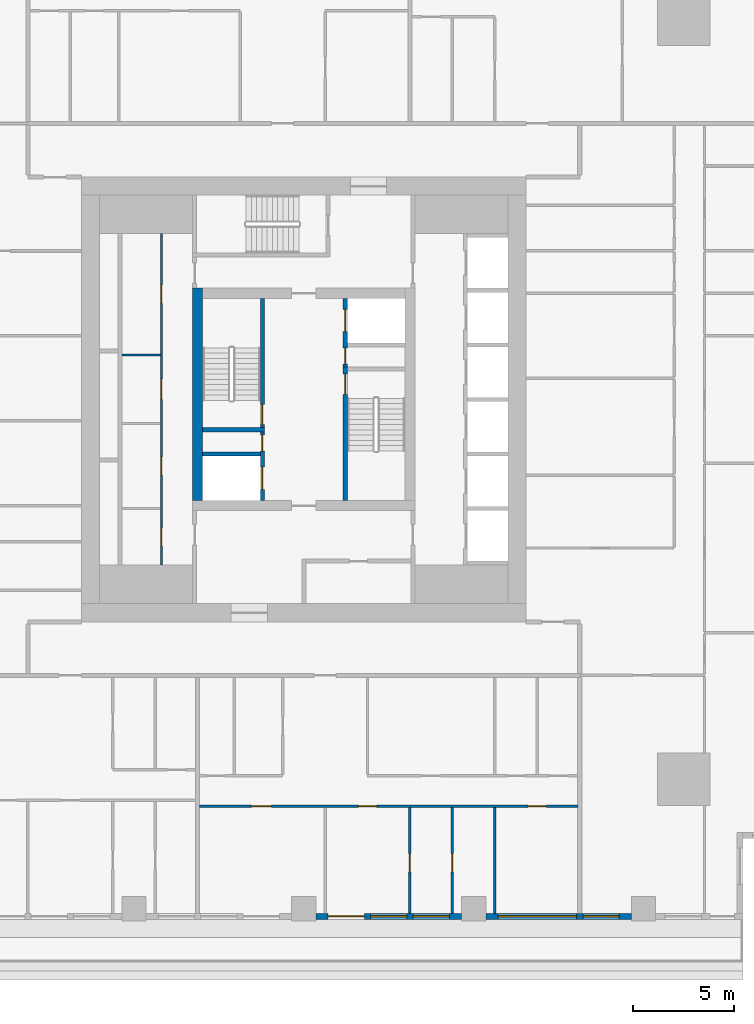
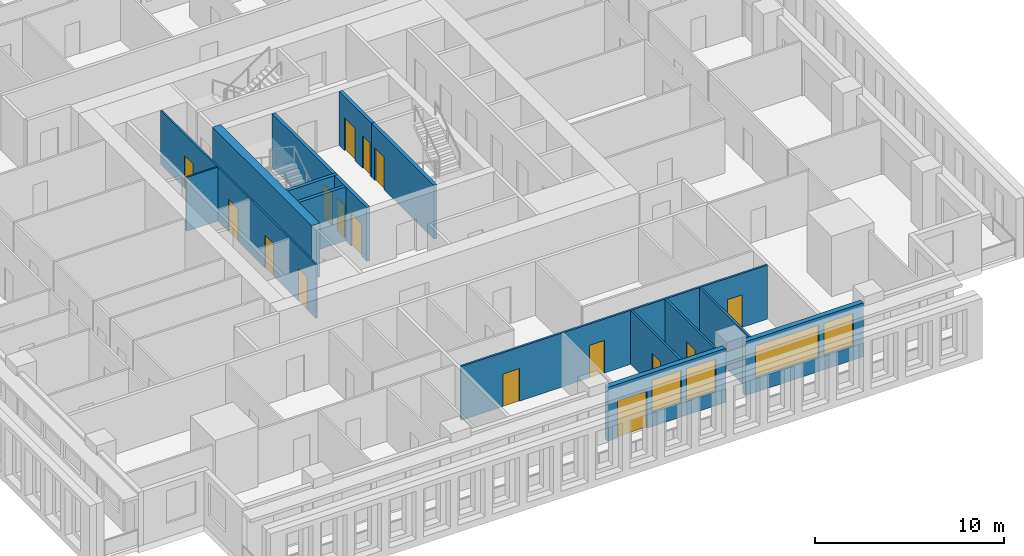
# One storey, part 4 of 16: 16 doors, 15 walls, 4 windows, 20 openings.
"""IFC4 building model written with IfcOpenShell, lengths in metres."""

from ifc_helpers import new_model, si_unit, direction, frame, frame_2d, origin, place, context, subcontext, project, spatial, rectangle, extrude, material, layer, layer_set, type_object, element, fill, save


model = new_model("IFC4")

# Units and contexts
model_context = context("Model", 3, precision=1e-05, world=origin(), true_north=direction((0.0, 1.0)))
body_context = subcontext(model_context, "Body", "Model", "MODEL_VIEW")
ifc_project = project(units=[si_unit("LENGTHUNIT", "METRE"), si_unit("AREAUNIT", "SQUARE_METRE"), si_unit("VOLUMEUNIT", "CUBIC_METRE"), si_unit("PLANEANGLEUNIT", "RADIAN"), si_unit("MASSUNIT", "GRAM", prefix="KILO")], contexts=[model_context])

# Site, building, storey
site_placement = place(None, origin())
site = spatial("IfcSite", under=ifc_project, at=site_placement, CompositionType="ELEMENT")
building_placement = place(site_placement, origin())
building = spatial("IfcBuilding", under=site, at=building_placement, Name="Khepri Terraces", CompositionType="ELEMENT")
storey_placement = place(building_placement, frame((0.0, 0.0, 141.60009765625)))
storey = spatial("IfcBuildingStorey", under=building, at=storey_placement, Name="L33", CompositionType="ELEMENT", Elevation=141.60009765625)

# Wall, opening, door
ifc_material_1 = material(Name="Concrete C60/75", Category="concrete")
ifc_layer_1 = layer(ifc_material_1, 0.199951171875, Name="Concrete C60/75", Category="concrete")
ifc_layer_set_1 = layer_set([ifc_layer_1], Name="Concrete C60/75")
wall_type_1 = type_object("IfcWallType", Name="Core wall 200 C60/75", PredefinedType="SHEAR", material=ifc_layer_set_1)
wall_1_placement = place(storey_placement, frame((2.050048828125, -5.0, 0.0), z_axis=(0.0, 0.0, 1.0), x_axis=(0.0, 1.0, 0.0)))
wall_1 = element("IfcWall", 1, at=wall_1_placement, inside=storey, type_object=wall_type_1, Name="Core wall ST01 L33", PredefinedType="SHEAR", context=body_context, shape_type="SweptSolid", body=[
    extrude(rectangle(XDim=6.60009765625, YDim=0.199951171875, at=frame_2d((3.300048828125, 0.0))), origin(), (0.0, 0.0, 1.0), 3.47998046875),
])
opening_1_placement = place(wall_1_placement, frame((5.25, 0.0, 0.0)))
opening_1 = element("IfcOpeningElement", 2, at=opening_1_placement, cuts=wall_1, Name="Opening L33-C10", PredefinedType="OPENING", context=body_context, shape_type="SweptSolid", body=[
    extrude(rectangle(XDim=1.0, YDim=2.10009765625, at=frame_2d((0.5, 1.050048828125))), frame((0.0, 0.10986328125, 0.0), z_axis=(0.0, -1.0, 0.0), x_axis=(1.0, 0.0, 0.0)), (0.0, 0.0, 1.0), 0.219970703125),
])
ifc_material_2 = material(Name="Painted steel", Category="steel")
door_type_1 = type_object("IfcDoorType", Name="DR-CORE-STAIR-1000", OperationType="NOTDEFINED", PredefinedType="DOOR", material=ifc_material_2)
door_1_placement = place(opening_1_placement, frame((1.0, 0.0, 0.0), z_axis=(0.0, 0.0, 1.0), x_axis=(-1.0, 0.0, 0.0)))
door_1 = element("IfcDoor", 3, at=door_1_placement, inside=storey, type_object=door_type_1, Name="Stair door L33-C10", OperationType="SINGLE_SWING_LEFT", OverallHeight=2.10009765625, OverallWidth=1.0, PredefinedType="DOOR", context=body_context, shape_type="SweptSolid", body=[
    extrude(rectangle(XDim=1.0, YDim=2.10009765625, at=frame_2d((0.5, 1.050048828125))), frame((0.0, 0.02490234375, 0.0), z_axis=(0.0, -1.0, 0.0), x_axis=(1.0, 0.0, 0.0)), (0.0, 0.0, 1.0), 0.050048828125),
])
fill(opening_1, door_1)

# Wall
wall_2_placement = place(storey_placement, frame((-5.0, -1.5, 0.0), z_axis=(0.0, 0.0, 1.0), x_axis=(1.0, 0.0, 0.0)))
element("IfcWall", 4, at=wall_2_placement, inside=storey, type_object=wall_type_1, Name="Core wall ST02 L33", PredefinedType="SHEAR", context=body_context, shape_type="SweptSolid", body=[
    extrude(rectangle(XDim=3.050048828125, YDim=0.199951171875, at=frame_2d((1.52490234375, 0.0))), origin(), (0.0, 0.0, 1.0), 3.47998046875),
])

# Wall, opening, door
wall_3_placement = place(storey_placement, frame((-2.050048828125, -1.39990234375, 0.0), z_axis=(0.0, 0.0, 1.0), x_axis=(0.0, 1.0, 0.0)))
wall_3 = element("IfcWall", 5, at=wall_3_placement, inside=storey, type_object=wall_type_1, Name="Core wall ST03 L33", PredefinedType="SHEAR", context=body_context, shape_type="SweptSolid", body=[
    extrude(rectangle(XDim=6.39990234375, YDim=0.199951171875, at=frame_2d((3.199951171875, 0.0))), origin(), (0.0, 0.0, 1.0), 3.47998046875),
])
opening_2_placement = place(wall_3_placement, frame((0.14990234375, 0.0, 0.0)))
opening_2 = element("IfcOpeningElement", 6, at=opening_2_placement, cuts=wall_3, Name="Opening L33-C09", PredefinedType="OPENING", context=body_context, shape_type="SweptSolid", body=[
    extrude(rectangle(XDim=1.0, YDim=2.10009765625, at=frame_2d((0.5, 1.050048828125))), frame((0.0, 0.10986328125, 0.0), z_axis=(0.0, -1.0, 0.0), x_axis=(1.0, 0.0, 0.0)), (0.0, 0.0, 1.0), 0.219970703125),
])
door_2_placement = place(opening_2_placement, origin())
door_2 = element("IfcDoor", 7, at=door_2_placement, inside=storey, type_object=door_type_1, Name="Stair door L33-C09", OperationType="SINGLE_SWING_LEFT", OverallHeight=2.10009765625, OverallWidth=1.0, PredefinedType="DOOR", context=body_context, shape_type="SweptSolid", body=[
    extrude(rectangle(XDim=1.0, YDim=2.10009765625, at=frame_2d((0.5, 1.050048828125))), frame((0.0, 0.02490234375, 0.0), z_axis=(0.0, -1.0, 0.0), x_axis=(1.0, 0.0, 0.0)), (0.0, 0.0, 1.0), 0.050048828125),
])
fill(opening_2, door_2)

# Wall, openings, doors
wall_4_placement = place(storey_placement, frame((-2.050048828125, -5.0, 0.0), z_axis=(0.0, 0.0, 1.0), x_axis=(0.0, 1.0, 0.0)))
wall_4 = element("IfcWall", 8, at=wall_4_placement, inside=storey, type_object=wall_type_1, Name="Core wall SH05 L33", PredefinedType="SHEAR", context=body_context, shape_type="SweptSolid", body=[
    extrude(rectangle(XDim=3.39990234375, YDim=0.199951171875, at=frame_2d((1.699951171875, 0.0))), origin(), (0.0, 0.0, 1.0), 3.47998046875),
])
opening_3_placement = place(wall_4_placement, frame((0.550048828125, 0.0, 0.0)))
opening_3 = element("IfcOpeningElement", 9, at=opening_3_placement, cuts=wall_4, Name="Opening L33-C08", PredefinedType="OPENING", context=body_context, shape_type="SweptSolid", body=[
    extrude(rectangle(XDim=1.10009765625, YDim=2.10009765625, at=frame_2d((0.550048828125, 1.050048828125))), frame((0.0, 0.10986328125, 0.0), z_axis=(0.0, -1.0, 0.0), x_axis=(1.0, 0.0, 0.0)), (0.0, 0.0, 1.0), 0.219970703125),
])
opening_4_placement = place(wall_4_placement, frame((2.449951171875, 0.0, 0.0)))
opening_4 = element("IfcOpeningElement", 10, at=opening_4_placement, cuts=wall_4, Name="Opening L33-C12", PredefinedType="OPENING", context=body_context, shape_type="SweptSolid", body=[
    extrude(rectangle(XDim=0.800048828125, YDim=2.10009765625, at=frame_2d((0.39990234375, 1.050048828125))), frame((0.0, 0.10986328125, 0.0), z_axis=(0.0, -1.0, 0.0), x_axis=(1.0, 0.0, 0.0)), (0.0, 0.0, 1.0), 0.219970703125),
])
ifc_material_3 = material(Name="Stainless steel 304", Category="steel")
door_type_2 = type_object("IfcDoorType", Name="DR-CORE-FF-LANDING-1100", OperationType="NOTDEFINED", PredefinedType="DOOR", material=ifc_material_3)
door_3_placement = place(opening_3_placement, origin())
door_3 = element("IfcDoor", 11, at=door_3_placement, inside=storey, type_object=door_type_2, Name="Firefighting lift landing door L33-C08", OperationType="SLIDING_TO_LEFT", OverallHeight=2.10009765625, OverallWidth=1.10009765625, PredefinedType="DOOR", context=body_context, shape_type="SweptSolid", body=[
    extrude(rectangle(XDim=1.10009765625, YDim=2.10009765625, at=frame_2d((0.550048828125, 1.050048828125))), frame((0.0, 0.02490234375, 0.0), z_axis=(0.0, -1.0, 0.0), x_axis=(1.0, 0.0, 0.0)), (0.0, 0.0, 1.0), 0.050048828125),
])
fill(opening_3, door_3)
door_type_3 = type_object("IfcDoorType", Name="DR-CORE-RISER-800", OperationType="NOTDEFINED", PredefinedType="DOOR", material=ifc_material_2)
door_4_placement = place(opening_4_placement, origin())
door_4 = element("IfcDoor", 12, at=door_4_placement, inside=storey, type_object=door_type_3, Name="Riser door L33-C12", OperationType="SINGLE_SWING_RIGHT", OverallHeight=2.10009765625, OverallWidth=0.800048828125, PredefinedType="DOOR", context=body_context, shape_type="SweptSolid", body=[
    extrude(rectangle(XDim=0.800048828125, YDim=2.10009765625, at=frame_2d((0.39990234375, 1.050048828125))), frame((0.0, 0.02490234375, 0.0), z_axis=(0.0, -1.0, 0.0), x_axis=(1.0, 0.0, 0.0)), (0.0, 0.0, 1.0), 0.050048828125),
])
fill(opening_4, door_4)

# Wall
wall_5_placement = place(storey_placement, frame((-5.0, -2.699951171875, 0.0), z_axis=(0.0, 0.0, 1.0), x_axis=(1.0, 0.0, 0.0)))
element("IfcWall", 13, at=wall_5_placement, inside=storey, type_object=wall_type_1, Name="Core wall SH07 L33", PredefinedType="SHEAR", context=body_context, shape_type="SweptSolid", body=[
    extrude(rectangle(XDim=2.85009765625, YDim=0.199951171875, at=frame_2d((1.425048828125, 0.0))), origin(), (0.0, 0.0, 1.0), 3.47998046875),
])

# Wall, openings, doors
wall_6_placement = place(storey_placement, frame((2.050048828125, 1.60009765625, 0.0), z_axis=(0.0, 0.0, 1.0), x_axis=(0.0, 1.0, 0.0)))
wall_6 = element("IfcWall", 14, at=wall_6_placement, inside=storey, type_object=wall_type_1, Name="Core wall SH10 L33", PredefinedType="SHEAR", context=body_context, shape_type="SweptSolid", body=[
    extrude(rectangle(XDim=3.39990234375, YDim=0.199951171875, at=frame_2d((1.699951171875, 0.0))), origin(), (0.0, 0.0, 1.0), 3.47998046875),
])
opening_5_placement = place(wall_6_placement, frame((1.75, 0.0, 0.0)))
opening_5 = element("IfcOpeningElement", 15, at=opening_5_placement, cuts=wall_6, Name="Opening L33-C07", PredefinedType="OPENING", context=body_context, shape_type="SweptSolid", body=[
    extrude(rectangle(XDim=1.10009765625, YDim=2.10009765625, at=frame_2d((0.550048828125, 1.050048828125))), frame((0.0, 0.10986328125, 0.0), z_axis=(0.0, -1.0, 0.0), x_axis=(1.0, 0.0, 0.0)), (0.0, 0.0, 1.0), 0.219970703125),
])
opening_6_placement = place(wall_6_placement, frame((0.14990234375, 0.0, 0.0)))
opening_6 = element("IfcOpeningElement", 16, at=opening_6_placement, cuts=wall_6, Name="Opening L33-C11", PredefinedType="OPENING", context=body_context, shape_type="SweptSolid", body=[
    extrude(rectangle(XDim=0.800048828125, YDim=2.10009765625, at=frame_2d((0.39990234375, 1.050048828125))), frame((0.0, 0.10986328125, 0.0), z_axis=(0.0, -1.0, 0.0), x_axis=(1.0, 0.0, 0.0)), (0.0, 0.0, 1.0), 0.219970703125),
])
door_5_placement = place(opening_5_placement, origin())
door_5 = element("IfcDoor", 17, at=door_5_placement, inside=storey, type_object=door_type_2, Name="Firefighting lift landing door L33-C07", OperationType="SLIDING_TO_LEFT", OverallHeight=2.10009765625, OverallWidth=1.10009765625, PredefinedType="DOOR", context=body_context, shape_type="SweptSolid", body=[
    extrude(rectangle(XDim=1.10009765625, YDim=2.10009765625, at=frame_2d((0.550048828125, 1.050048828125))), frame((0.0, 0.02490234375, 0.0), z_axis=(0.0, -1.0, 0.0), x_axis=(1.0, 0.0, 0.0)), (0.0, 0.0, 1.0), 0.050048828125),
])
fill(opening_5, door_5)
door_6_placement = place(opening_6_placement, frame((0.800048828125, 0.0, 0.0), z_axis=(0.0, 0.0, 1.0), x_axis=(-1.0, 0.0, 0.0)))
door_6 = element("IfcDoor", 18, at=door_6_placement, inside=storey, type_object=door_type_3, Name="Riser door L33-C11", OperationType="SINGLE_SWING_RIGHT", OverallHeight=2.10009765625, OverallWidth=0.800048828125, PredefinedType="DOOR", context=body_context, shape_type="SweptSolid", body=[
    extrude(rectangle(XDim=0.800048828125, YDim=2.10009765625, at=frame_2d((0.39990234375, 1.050048828125))), frame((0.0, 0.02490234375, 0.0), z_axis=(0.0, -1.0, 0.0), x_axis=(1.0, 0.0, 0.0)), (0.0, 0.0, 1.0), 0.050048828125),
])
fill(opening_6, door_6)

# Wall
ifc_layer_2 = layer(ifc_material_1, 0.5, Name="Concrete C60/75", Category="concrete")
ifc_layer_set_2 = layer_set([ifc_layer_2], Name="Concrete C60/75")
wall_type_2 = type_object("IfcWallType", Name="Core wall 500 C60/75", PredefinedType="SHEAR", material=ifc_layer_set_2)
wall_7_placement = place(storey_placement, frame((-5.25, -5.0, 0.0), z_axis=(0.0, 0.0, 1.0), x_axis=(0.0, 1.0, 0.0)))
element("IfcWall", 19, at=wall_7_placement, inside=storey, type_object=wall_type_2, Name="Core wall BX02 L33", PredefinedType="SHEAR", context=body_context, shape_type="SweptSolid", body=[
    extrude(rectangle(XDim=10.5, YDim=0.5, at=frame_2d((5.25, 0.0))), origin(), (0.0, 0.0, 1.0), 3.47998046875),
])

# Wall, openings, doors
ifc_material_4 = material(Name="Fire-rated gypsum board partition")
ifc_layer_3 = layer(ifc_material_4, 0.10009765625, Name="Fire-rated gypsum board partition")
ifc_layer_set_3 = layer_set([ifc_layer_3], Name="Fire-rated gypsum board partition")
wall_type_3 = type_object("IfcWallType", Name="WL-CORE-PART-100", PredefinedType="PARTITIONING", material=ifc_layer_set_3)
wall_8_placement = place(storey_placement, frame((-7.050048828125, -8.199951171875, 0.0), z_axis=(0.0, 0.0, 1.0), x_axis=(0.0, 1.0, 0.0)))
wall_8 = element("IfcWall", 20, at=wall_8_placement, inside=storey, type_object=wall_type_3, Name="Core partition PT04 L33", PredefinedType="PARTITIONING", context=body_context, shape_type="SweptSolid", body=[
    extrude(rectangle(XDim=16.39990234375, YDim=0.10009765625, at=frame_2d((8.199951171875, 0.0))), origin(), (0.0, 0.0, 1.0), 3.47998046875),
])
opening_7_placement = place(wall_8_placement, frame((0.949951171875, 0.0, 0.0)))
opening_7 = element("IfcOpeningElement", 21, at=opening_7_placement, cuts=wall_8, Name="Opening L33-C23", PredefinedType="OPENING", context=body_context, shape_type="SweptSolid", body=[
    extrude(rectangle(XDim=0.89990234375, YDim=2.10009765625, at=frame_2d((0.449951171875, 1.050048828125))), frame((0.0, 0.06005859375, 0.0), z_axis=(0.0, -1.0, 0.0), x_axis=(1.0, 0.0, 0.0)), (0.0, 0.0, 1.0), 0.1201171875),
])
opening_8_placement = place(wall_8_placement, frame((4.449951171875, 0.0, 0.0)))
opening_8 = element("IfcOpeningElement", 22, at=opening_8_placement, cuts=wall_8, Name="Opening L33-C24", PredefinedType="OPENING", context=body_context, shape_type="SweptSolid", body=[
    extrude(rectangle(XDim=0.89990234375, YDim=2.10009765625, at=frame_2d((0.449951171875, 1.050048828125))), frame((0.0, 0.06005859375, 0.0), z_axis=(0.0, -1.0, 0.0), x_axis=(1.0, 0.0, 0.0)), (0.0, 0.0, 1.0), 0.1201171875),
])
opening_9_placement = place(wall_8_placement, frame((8.199951171875, 0.0, 0.0)))
opening_9 = element("IfcOpeningElement", 23, at=opening_9_placement, cuts=wall_8, Name="Opening L33-C25", PredefinedType="OPENING", context=body_context, shape_type="SweptSolid", body=[
    extrude(rectangle(XDim=1.0, YDim=2.10009765625, at=frame_2d((0.5, 1.050048828125))), frame((0.0, 0.06005859375, 0.0), z_axis=(0.0, -1.0, 0.0), x_axis=(1.0, 0.0, 0.0)), (0.0, 0.0, 1.0), 0.1201171875),
])
opening_10_placement = place(wall_8_placement, frame((12.949951171875, 0.0, 0.0)))
opening_10 = element("IfcOpeningElement", 24, at=opening_10_placement, cuts=wall_8, Name="Opening L33-C26", PredefinedType="OPENING", context=body_context, shape_type="SweptSolid", body=[
    extrude(rectangle(XDim=0.89990234375, YDim=2.10009765625, at=frame_2d((0.449951171875, 1.050048828125))), frame((0.0, 0.06005859375, 0.0), z_axis=(0.0, -1.0, 0.0), x_axis=(1.0, 0.0, 0.0)), (0.0, 0.0, 1.0), 0.1201171875),
])
door_type_4 = type_object("IfcDoorType", Name="DR-CORE-SERVICE-900", OperationType="NOTDEFINED", PredefinedType="DOOR", material=ifc_material_2)
door_7_placement = place(opening_7_placement, origin())
door_7 = element("IfcDoor", 25, at=door_7_placement, inside=storey, type_object=door_type_4, Name="Service room door L33-C23", OperationType="SINGLE_SWING_LEFT", OverallHeight=2.10009765625, OverallWidth=0.89990234375, PredefinedType="DOOR", context=body_context, shape_type="SweptSolid", body=[
    extrude(rectangle(XDim=0.89990234375, YDim=2.10009765625, at=frame_2d((0.449951171875, 1.050048828125))), frame((0.0, 0.02490234375, 0.0), z_axis=(0.0, -1.0, 0.0), x_axis=(1.0, 0.0, 0.0)), (0.0, 0.0, 1.0), 0.050048828125),
])
fill(opening_7, door_7)
door_8_placement = place(opening_8_placement, origin())
door_8 = element("IfcDoor", 26, at=door_8_placement, inside=storey, type_object=door_type_4, Name="Service room door L33-C24", OperationType="SINGLE_SWING_LEFT", OverallHeight=2.10009765625, OverallWidth=0.89990234375, PredefinedType="DOOR", context=body_context, shape_type="SweptSolid", body=[
    extrude(rectangle(XDim=0.89990234375, YDim=2.10009765625, at=frame_2d((0.449951171875, 1.050048828125))), frame((0.0, 0.02490234375, 0.0), z_axis=(0.0, -1.0, 0.0), x_axis=(1.0, 0.0, 0.0)), (0.0, 0.0, 1.0), 0.050048828125),
])
fill(opening_8, door_8)
door_9_placement = place(opening_10_placement, origin())
door_9 = element("IfcDoor", 27, at=door_9_placement, inside=storey, type_object=door_type_4, Name="Service room door L33-C26", OperationType="SINGLE_SWING_RIGHT", OverallHeight=2.10009765625, OverallWidth=0.89990234375, PredefinedType="DOOR", context=body_context, shape_type="SweptSolid", body=[
    extrude(rectangle(XDim=0.89990234375, YDim=2.10009765625, at=frame_2d((0.449951171875, 1.050048828125))), frame((0.0, 0.02490234375, 0.0), z_axis=(0.0, -1.0, 0.0), x_axis=(1.0, 0.0, 0.0)), (0.0, 0.0, 1.0), 0.050048828125),
])
fill(opening_10, door_9)
ifc_material_5 = material(Name="Timber veneer", Category="wood")
door_type_5 = type_object("IfcDoorType", Name="DR-CORE-WC-1000", OperationType="NOTDEFINED", PredefinedType="DOOR", material=ifc_material_5)
door_10_placement = place(opening_9_placement, origin())
door_10 = element("IfcDoor", 28, at=door_10_placement, inside=storey, type_object=door_type_5, Name="WC door L33-C25", OperationType="SINGLE_SWING_RIGHT", OverallHeight=2.10009765625, OverallWidth=1.0, PredefinedType="DOOR", context=body_context, shape_type="SweptSolid", body=[
    extrude(rectangle(XDim=1.0, YDim=2.10009765625, at=frame_2d((0.5, 1.050048828125))), frame((0.0, 0.02490234375, 0.0), z_axis=(0.0, -1.0, 0.0), x_axis=(1.0, 0.0, 0.0)), (0.0, 0.0, 1.0), 0.050048828125),
])
fill(opening_9, door_10)

# Wall
wall_9_placement = place(storey_placement, frame((-9.0, 2.199951171875, 0.0), z_axis=(0.0, 0.0, 1.0), x_axis=(1.0, 0.0, 0.0)))
element("IfcWall", 29, at=wall_9_placement, inside=storey, type_object=wall_type_3, Name="Core partition PT08 L33", PredefinedType="PARTITIONING", context=body_context, shape_type="SweptSolid", body=[
    extrude(rectangle(XDim=1.89990234375, YDim=0.10009765625, at=frame_2d((0.949951171875, 0.0))), origin(), (0.0, 0.0, 1.0), 3.47998046875),
])

# Wall, openings, door, windows
ifc_material_6 = material(Name="Precast concrete C50/60 warm stone", Category="masonry")
ifc_layer_4 = layer(ifc_material_6, 0.300048828125, Name="Precast concrete C50/60 warm stone", Category="masonry")
ifc_layer_set_4 = layer_set([ifc_layer_4], Name="Precast concrete C50/60 warm stone")
wall_type_4 = type_object("IfcWallType", Name="WL-EXT-PRECAST-300", PredefinedType="STANDARD", material=ifc_layer_set_4)
wall_10_placement = place(storey_placement, frame((0.60009765625, -25.570068359375, 0.0), z_axis=(0.0, 0.0, 1.0), x_axis=(1.0, 0.0, 0.0)))
wall_10 = element("IfcWall", 30, at=wall_10_placement, inside=storey, type_object=wall_type_4, Name="External wall L33 S", PredefinedType="STANDARD", context=body_context, shape_type="SweptSolid", body=[
    extrude(rectangle(XDim=7.199951171875, YDim=0.300048828125, at=frame_2d((3.60009765625, 0.0))), origin(), (0.0, 0.0, 1.0), 3.47998046875),
])
opening_11_placement = place(wall_10_placement, frame((0.60009765625, 0.0, 0.0)))
opening_11 = element("IfcOpeningElement", 31, at=opening_11_placement, cuts=wall_10, Name="Opening ED-L33-24", PredefinedType="OPENING", context=body_context, shape_type="SweptSolid", body=[
    extrude(rectangle(XDim=1.800048828125, YDim=2.39990234375, at=frame_2d((0.89990234375, 1.199951171875))), frame((0.0, 0.16015625, 0.0), z_axis=(0.0, -1.0, 0.0), x_axis=(1.0, 0.0, 0.0)), (0.0, 0.0, 1.0), 0.320068359375),
])
opening_12_placement = place(wall_10_placement, frame((2.699951171875, 0.0, 0.89990234375)))
opening_12 = element("IfcOpeningElement", 32, at=opening_12_placement, cuts=wall_10, Name="Opening W1", PredefinedType="OPENING", context=body_context, shape_type="SweptSolid", body=[
    extrude(rectangle(XDim=1.800048828125, YDim=2.10009765625, at=frame_2d((0.89990234375, 1.050048828125))), frame((0.0, 0.16015625, 0.0), z_axis=(0.0, -1.0, 0.0), x_axis=(1.0, 0.0, 0.0)), (0.0, 0.0, 1.0), 0.320068359375),
])
opening_13_placement = place(wall_10_placement, frame((4.800048828125, 0.0, 0.89990234375)))
opening_13 = element("IfcOpeningElement", 33, at=opening_13_placement, cuts=wall_10, Name="Opening W1", PredefinedType="OPENING", context=body_context, shape_type="SweptSolid", body=[
    extrude(rectangle(XDim=1.800048828125, YDim=2.10009765625, at=frame_2d((0.89990234375, 1.050048828125))), frame((0.0, 0.16015625, 0.0), z_axis=(0.0, -1.0, 0.0), x_axis=(1.0, 0.0, 0.0)), (0.0, 0.0, 1.0), 0.320068359375),
])
ifc_material_7 = material(Name="Anodised aluminium bronze glazed door", Category="aluminium")
door_type_6 = type_object("IfcDoorType", Name="DR-BAL-SLIDE-1800x2400", OperationType="NOTDEFINED", PredefinedType="DOOR", material=ifc_material_7)
door_11_placement = place(opening_11_placement, origin())
door_11 = element("IfcDoor", 34, at=door_11_placement, inside=storey, type_object=door_type_6, Name="Balcony door L33 S", OperationType="SLIDING_TO_LEFT", OverallHeight=2.39990234375, OverallWidth=1.800048828125, PredefinedType="DOOR", context=body_context, shape_type="SweptSolid", body=[
    extrude(rectangle(XDim=1.800048828125, YDim=2.39990234375, at=frame_2d((0.89990234375, 1.199951171875))), frame((0.0, 0.02490234375, 0.0), z_axis=(0.0, -1.0, 0.0), x_axis=(1.0, 0.0, 0.0)), (0.0, 0.0, 1.0), 0.050048828125),
])
fill(opening_11, door_11)
ifc_material_8 = material(Name="Clear glass", Category="glass")
window_type_1 = type_object("IfcWindowType", Name="WIN-RES-1800x2100", PartitioningType="SINGLE_PANEL", PredefinedType="WINDOW", material=ifc_material_8)
window_1_placement = place(opening_12_placement, origin())
window_1 = element("IfcWindow", 35, at=window_1_placement, inside=storey, type_object=window_type_1, Name="Window L33 S", OverallHeight=2.10009765625, OverallWidth=1.800048828125, PartitioningType="SINGLE_PANEL", PredefinedType="WINDOW", context=body_context, shape_type="SweptSolid", body=[
    extrude(rectangle(XDim=1.800048828125, YDim=2.10009765625, at=frame_2d((0.89990234375, 1.050048828125))), frame((0.0, 0.030029296875, 0.0), z_axis=(0.0, -1.0, 0.0), x_axis=(1.0, 0.0, 0.0)), (0.0, 0.0, 1.0), 0.06005859375),
])
fill(opening_12, window_1)
window_2_placement = place(opening_13_placement, origin())
window_2 = element("IfcWindow", 36, at=window_2_placement, inside=storey, type_object=window_type_1, Name="Window L33 S", OverallHeight=2.10009765625, OverallWidth=1.800048828125, PartitioningType="SINGLE_PANEL", PredefinedType="WINDOW", context=body_context, shape_type="SweptSolid", body=[
    extrude(rectangle(XDim=1.800048828125, YDim=2.10009765625, at=frame_2d((0.89990234375, 1.050048828125))), frame((0.0, 0.030029296875, 0.0), z_axis=(0.0, -1.0, 0.0), x_axis=(1.0, 0.0, 0.0)), (0.0, 0.0, 1.0), 0.06005859375),
])
fill(opening_13, window_2)

# Wall, openings, windows
wall_11_placement = place(storey_placement, frame((9.0, -25.570068359375, 0.0), z_axis=(0.0, 0.0, 1.0), x_axis=(1.0, 0.0, 0.0)))
wall_11 = element("IfcWall", 37, at=wall_11_placement, inside=storey, type_object=wall_type_4, Name="External wall L33 S", PredefinedType="STANDARD", context=body_context, shape_type="SweptSolid", body=[
    extrude(rectangle(XDim=7.199951171875, YDim=0.300048828125, at=frame_2d((3.60009765625, 0.0))), origin(), (0.0, 0.0, 1.0), 3.47998046875),
])
opening_14_placement = place(wall_11_placement, frame((0.60009765625, 0.0, 0.89990234375)))
opening_14 = element("IfcOpeningElement", 38, at=opening_14_placement, cuts=wall_11, Name="Opening W2", PredefinedType="OPENING", context=body_context, shape_type="SweptSolid", body=[
    extrude(rectangle(XDim=3.89990234375, YDim=2.10009765625, at=frame_2d((1.949951171875, 1.050048828125))), frame((0.0, 0.16015625, 0.0), z_axis=(0.0, -1.0, 0.0), x_axis=(1.0, 0.0, 0.0)), (0.0, 0.0, 1.0), 0.320068359375),
])
opening_15_placement = place(wall_11_placement, frame((4.800048828125, 0.0, 0.89990234375)))
opening_15 = element("IfcOpeningElement", 39, at=opening_15_placement, cuts=wall_11, Name="Opening W1", PredefinedType="OPENING", context=body_context, shape_type="SweptSolid", body=[
    extrude(rectangle(XDim=1.800048828125, YDim=2.10009765625, at=frame_2d((0.89990234375, 1.050048828125))), frame((0.0, 0.16015625, 0.0), z_axis=(0.0, -1.0, 0.0), x_axis=(1.0, 0.0, 0.0)), (0.0, 0.0, 1.0), 0.320068359375),
])
window_3_placement = place(opening_15_placement, origin())
window_3 = element("IfcWindow", 40, at=window_3_placement, inside=storey, type_object=window_type_1, Name="Window L33 S", OverallHeight=2.10009765625, OverallWidth=1.800048828125, PartitioningType="SINGLE_PANEL", PredefinedType="WINDOW", context=body_context, shape_type="SweptSolid", body=[
    extrude(rectangle(XDim=1.800048828125, YDim=2.10009765625, at=frame_2d((0.89990234375, 1.050048828125))), frame((0.0, 0.030029296875, 0.0), z_axis=(0.0, -1.0, 0.0), x_axis=(1.0, 0.0, 0.0)), (0.0, 0.0, 1.0), 0.06005859375),
])
fill(opening_15, window_3)
window_type_2 = type_object("IfcWindowType", Name="WIN-RES-3900x2100", PartitioningType="SINGLE_PANEL", PredefinedType="WINDOW", material=ifc_material_8)
window_4_placement = place(opening_14_placement, origin())
window_4 = element("IfcWindow", 41, at=window_4_placement, inside=storey, type_object=window_type_2, Name="Window L33 S", OverallHeight=2.10009765625, OverallWidth=3.89990234375, PartitioningType="SINGLE_PANEL", PredefinedType="WINDOW", context=body_context, shape_type="SweptSolid", body=[
    extrude(rectangle(XDim=3.89990234375, YDim=2.10009765625, at=frame_2d((1.949951171875, 1.050048828125))), frame((0.0, 0.030029296875, 0.0), z_axis=(0.0, -1.0, 0.0), x_axis=(1.0, 0.0, 0.0)), (0.0, 0.0, 1.0), 0.06005859375),
])
fill(opening_14, window_4)

# Wall, opening, door
ifc_material_9 = material(Name="Gypsum plasterboard partition")
ifc_layer_5 = layer(ifc_material_9, 0.1201171875, Name="Gypsum plasterboard partition")
ifc_layer_set_5 = layer_set([ifc_layer_5], Name="Gypsum plasterboard partition")
wall_type_5 = type_object("IfcWallType", Name="WL-PART-120", PredefinedType="PARTITIONING", material=ifc_layer_set_5)
wall_12_placement = place(storey_placement, frame((5.25, -25.419921875, 0.0), z_axis=(0.0, 0.0, 1.0), x_axis=(0.0, 1.0, 0.0)))
wall_12 = element("IfcWall", 42, at=wall_12_placement, inside=storey, type_object=wall_type_5, Name="Partition P-006 L33", PredefinedType="PARTITIONING", context=body_context, shape_type="SweptSolid", body=[
    extrude(rectangle(XDim=5.239990234375, YDim=0.1201171875, at=frame_2d((2.6201171875, 0.0))), origin(), (0.0, 0.0, 1.0), 3.47998046875),
])
opening_16_placement = place(wall_12_placement, frame((2.050048828125, 0.0, 0.0)))
opening_16 = element("IfcOpeningElement", 43, at=opening_16_placement, cuts=wall_12, Name="Opening D3", PredefinedType="OPENING", context=body_context, shape_type="SweptSolid", body=[
    extrude(rectangle(XDim=0.89990234375, YDim=2.10009765625, at=frame_2d((0.449951171875, 1.050048828125))), frame((0.0, 0.070068359375, 0.0), z_axis=(0.0, -1.0, 0.0), x_axis=(1.0, 0.0, 0.0)), (0.0, 0.0, 1.0), 0.14013671875),
])
ifc_material_10 = material(Name="Timber door leaf", Category="wood")
door_type_7 = type_object("IfcDoorType", Name="DR-INT-900", OperationType="NOTDEFINED", PredefinedType="DOOR", material=ifc_material_10)
door_12_placement = place(opening_16_placement, frame((0.89990234375, 0.0, 0.0), z_axis=(0.0, 0.0, 1.0), x_axis=(-1.0, 0.0, 0.0)))
door_12 = element("IfcDoor", 44, at=door_12_placement, inside=storey, type_object=door_type_7, Name="Door Dressing Room", OperationType="SINGLE_SWING_RIGHT", OverallHeight=2.10009765625, OverallWidth=0.89990234375, PredefinedType="DOOR", context=body_context, shape_type="SweptSolid", body=[
    extrude(rectangle(XDim=0.89990234375, YDim=2.10009765625, at=frame_2d((0.449951171875, 1.050048828125))), frame((0.0, 0.02490234375, 0.0), z_axis=(0.0, -1.0, 0.0), x_axis=(1.0, 0.0, 0.0)), (0.0, 0.0, 1.0), 0.050048828125),
])
fill(opening_16, door_12)

wall_13_placement = place(storey_placement, frame((7.35009765625, -25.419921875, 0.0), z_axis=(0.0, 0.0, 1.0), x_axis=(0.0, 1.0, 0.0)))
wall_13 = element("IfcWall", 45, at=wall_13_placement, inside=storey, type_object=wall_type_5, Name="Partition P-007 L33", PredefinedType="PARTITIONING", context=body_context, shape_type="SweptSolid", body=[
    extrude(rectangle(XDim=5.239990234375, YDim=0.1201171875, at=frame_2d((2.6201171875, 0.0))), origin(), (0.0, 0.0, 1.0), 3.47998046875),
])
opening_17_placement = place(wall_13_placement, frame((2.050048828125, 0.0, 0.0)))
opening_17 = element("IfcOpeningElement", 46, at=opening_17_placement, cuts=wall_13, Name="Opening D4", PredefinedType="OPENING", context=body_context, shape_type="SweptSolid", body=[
    extrude(rectangle(XDim=0.89990234375, YDim=2.10009765625, at=frame_2d((0.449951171875, 1.050048828125))), frame((0.0, 0.070068359375, 0.0), z_axis=(0.0, -1.0, 0.0), x_axis=(1.0, 0.0, 0.0)), (0.0, 0.0, 1.0), 0.14013671875),
])
ifc_material_11 = material(Name="Timber door leaf, moisture resistant", Category="wood")
door_type_8 = type_object("IfcDoorType", Name="DR-WET-900", OperationType="NOTDEFINED", PredefinedType="DOOR", material=ifc_material_11)
door_13_placement = place(opening_17_placement, frame((0.89990234375, 0.0, 0.0), z_axis=(0.0, 0.0, 1.0), x_axis=(-1.0, 0.0, 0.0)))
door_13 = element("IfcDoor", 47, at=door_13_placement, inside=storey, type_object=door_type_8, Name="Door Bathroom", OperationType="SINGLE_SWING_RIGHT", OverallHeight=2.10009765625, OverallWidth=0.89990234375, PredefinedType="DOOR", context=body_context, shape_type="SweptSolid", body=[
    extrude(rectangle(XDim=0.89990234375, YDim=2.10009765625, at=frame_2d((0.449951171875, 1.050048828125))), frame((0.0, 0.02490234375, 0.0), z_axis=(0.0, -1.0, 0.0), x_axis=(1.0, 0.0, 0.0)), (0.0, 0.0, 1.0), 0.050048828125),
])
fill(opening_17, door_13)

# Wall
wall_14_placement = place(storey_placement, frame((9.449951171875, -25.419921875, 0.0), z_axis=(0.0, 0.0, 1.0), x_axis=(0.0, 1.0, 0.0)))
element("IfcWall", 48, at=wall_14_placement, inside=storey, type_object=wall_type_5, Name="Partition P-008 L33", PredefinedType="PARTITIONING", context=body_context, shape_type="SweptSolid", body=[
    extrude(rectangle(XDim=5.239990234375, YDim=0.1201171875, at=frame_2d((2.6201171875, 0.0))), origin(), (0.0, 0.0, 1.0), 3.47998046875),
])

# Wall, openings, doors
wall_15_placement = place(storey_placement, frame((-5.14990234375, -20.1201171875, 0.0), z_axis=(0.0, 0.0, 1.0), x_axis=(1.0, 0.0, 0.0)))
wall_15 = element("IfcWall", 49, at=wall_15_placement, inside=storey, type_object=wall_type_5, Name="Partition P-011 L33", PredefinedType="PARTITIONING", context=body_context, shape_type="SweptSolid", body=[
    extrude(rectangle(XDim=18.699951171875, YDim=0.1201171875, at=frame_2d((9.35009765625, 0.0))), origin(), (0.0, 0.0, 1.0), 3.47998046875),
])
opening_18_placement = place(wall_15_placement, frame((2.550048828125, 0.0, 0.0)))
opening_18 = element("IfcOpeningElement", 50, at=opening_18_placement, cuts=wall_15, Name="Opening D2", PredefinedType="OPENING", context=body_context, shape_type="SweptSolid", body=[
    extrude(rectangle(XDim=1.0, YDim=2.10009765625, at=frame_2d((0.5, 1.050048828125))), frame((0.0, 0.070068359375, 0.0), z_axis=(0.0, -1.0, 0.0), x_axis=(1.0, 0.0, 0.0)), (0.0, 0.0, 1.0), 0.14013671875),
])
opening_19_placement = place(wall_15_placement, frame((7.85009765625, 0.0, 0.0)))
opening_19 = element("IfcOpeningElement", 51, at=opening_19_placement, cuts=wall_15, Name="Opening D3", PredefinedType="OPENING", context=body_context, shape_type="SweptSolid", body=[
    extrude(rectangle(XDim=0.89990234375, YDim=2.10009765625, at=frame_2d((0.449951171875, 1.050048828125))), frame((0.0, 0.070068359375, 0.0), z_axis=(0.0, -1.0, 0.0), x_axis=(1.0, 0.0, 0.0)), (0.0, 0.0, 1.0), 0.14013671875),
])
opening_20_placement = place(wall_15_placement, frame((16.25, 0.0, 0.0)))
opening_20 = element("IfcOpeningElement", 52, at=opening_20_placement, cuts=wall_15, Name="Opening D3", PredefinedType="OPENING", context=body_context, shape_type="SweptSolid", body=[
    extrude(rectangle(XDim=0.89990234375, YDim=2.10009765625, at=frame_2d((0.449951171875, 1.050048828125))), frame((0.0, 0.070068359375, 0.0), z_axis=(0.0, -1.0, 0.0), x_axis=(1.0, 0.0, 0.0)), (0.0, 0.0, 1.0), 0.14013671875),
])
ifc_material_12 = material(Name="Timber door leaf, living room door", Category="wood")
door_type_9 = type_object("IfcDoorType", Name="DR-INT-1000", OperationType="NOTDEFINED", PredefinedType="DOOR", material=ifc_material_12)
door_14_placement = place(opening_18_placement, frame((1.0, 0.0, 0.0), z_axis=(0.0, 0.0, 1.0), x_axis=(-1.0, 0.0, 0.0)))
door_14 = element("IfcDoor", 53, at=door_14_placement, inside=storey, type_object=door_type_9, Name="Door Living Room", OperationType="SINGLE_SWING_RIGHT", OverallHeight=2.10009765625, OverallWidth=1.0, PredefinedType="DOOR", context=body_context, shape_type="SweptSolid", body=[
    extrude(rectangle(XDim=1.0, YDim=2.10009765625, at=frame_2d((0.5, 1.050048828125))), frame((0.0, 0.02490234375, 0.0), z_axis=(0.0, -1.0, 0.0), x_axis=(1.0, 0.0, 0.0)), (0.0, 0.0, 1.0), 0.050048828125),
])
fill(opening_18, door_14)
door_15_placement = place(opening_19_placement, frame((0.89990234375, 0.0, 0.0), z_axis=(0.0, 0.0, 1.0), x_axis=(-1.0, 0.0, 0.0)))
door_15 = element("IfcDoor", 54, at=door_15_placement, inside=storey, type_object=door_type_7, Name="Door Master Bedroom", OperationType="SINGLE_SWING_RIGHT", OverallHeight=2.10009765625, OverallWidth=0.89990234375, PredefinedType="DOOR", context=body_context, shape_type="SweptSolid", body=[
    extrude(rectangle(XDim=0.89990234375, YDim=2.10009765625, at=frame_2d((0.449951171875, 1.050048828125))), frame((0.0, 0.02490234375, 0.0), z_axis=(0.0, -1.0, 0.0), x_axis=(1.0, 0.0, 0.0)), (0.0, 0.0, 1.0), 0.050048828125),
])
fill(opening_19, door_15)
door_16_placement = place(opening_20_placement, frame((0.89990234375, 0.0, 0.0), z_axis=(0.0, 0.0, 1.0), x_axis=(-1.0, 0.0, 0.0)))
door_16 = element("IfcDoor", 55, at=door_16_placement, inside=storey, type_object=door_type_7, Name="Door Study", OperationType="SINGLE_SWING_LEFT", OverallHeight=2.10009765625, OverallWidth=0.89990234375, PredefinedType="DOOR", context=body_context, shape_type="SweptSolid", body=[
    extrude(rectangle(XDim=0.89990234375, YDim=2.10009765625, at=frame_2d((0.449951171875, 1.050048828125))), frame((0.0, 0.02490234375, 0.0), z_axis=(0.0, -1.0, 0.0), x_axis=(1.0, 0.0, 0.0)), (0.0, 0.0, 1.0), 0.050048828125),
])
fill(opening_20, door_16)

save(model, "model.ifc")
